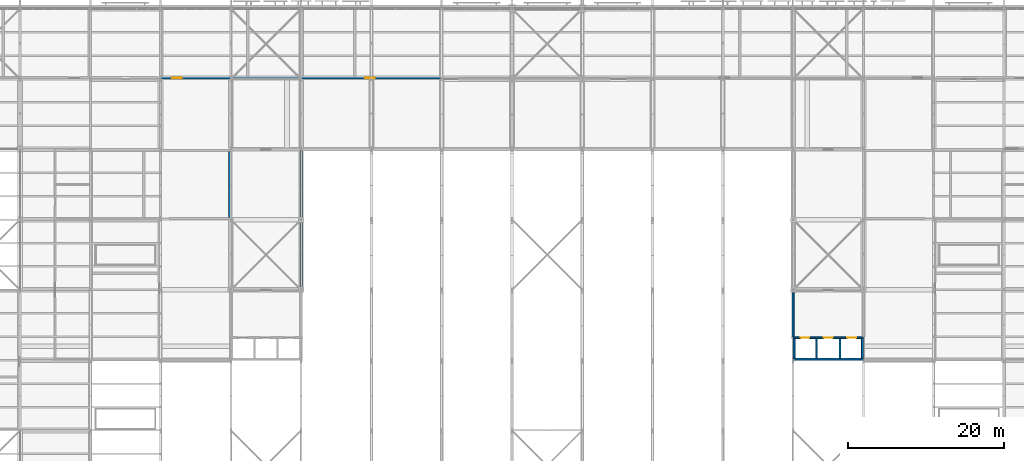
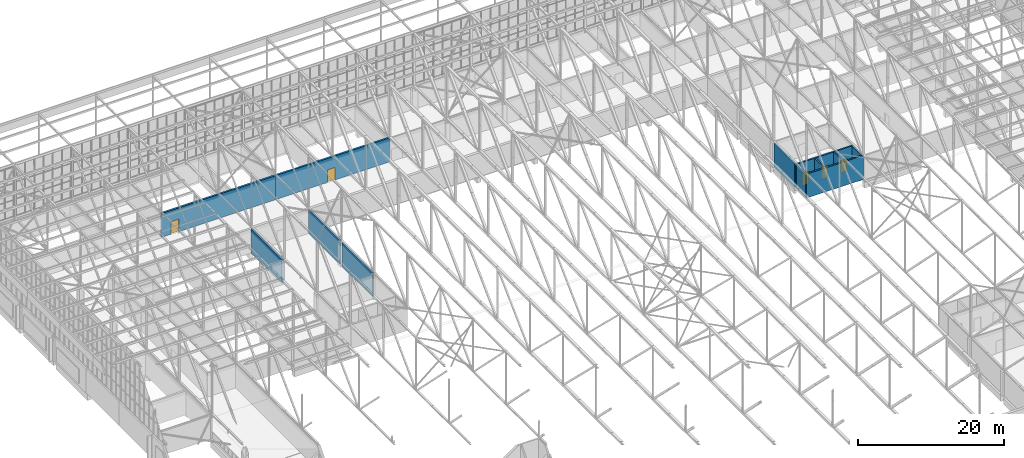
# One storey, part 170 of 646: 12 walls, 5 doors, 5 openings.
"""IFC4 building model written with IfcOpenShell, lengths in metres."""

from ifc_helpers import new_model, si_unit, direction, frame, frame_2d, origin, place, context, subcontext, project, spatial, rectangle, extrude, material, layer, layer_set, type_object, element, fill, save


model = new_model("IFC4")

# Units and contexts
model_context = context("Model", 3, precision=1e-05, world=origin(), true_north=direction((0.0, 1.0)))
body_context = subcontext(model_context, "Body", "Model", "MODEL_VIEW")
ifc_project = project(units=[si_unit("LENGTHUNIT", "METRE"), si_unit("AREAUNIT", "SQUARE_METRE"), si_unit("VOLUMEUNIT", "CUBIC_METRE"), si_unit("PLANEANGLEUNIT", "RADIAN"), si_unit("MASSUNIT", "GRAM", prefix="KILO")], contexts=[model_context])

# Site, building, storey
site_placement = place(None, origin())
site = spatial("IfcSite", under=ifc_project, at=site_placement, CompositionType="ELEMENT")
building_placement = place(site_placement, origin())
building = spatial("IfcBuilding", under=site, at=building_placement, Name="Silverbay Arena", CompositionType="ELEMENT")
storey_placement = place(building_placement, frame((0.0, 0.0, 33.5)))
storey = spatial("IfcBuildingStorey", under=building, at=storey_placement, Name="L05", CompositionType="ELEMENT", Elevation=33.5)

# Walls
ifc_material_1 = material(Name="Concrete Grade C45", Category="concrete")
ifc_layer_1 = layer(ifc_material_1, 0.25)
ifc_layer_set_1 = layer_set([ifc_layer_1], Name="Concrete Grade C45")
wall_type_1 = type_object("IfcWallType", Name="Bowl enclosure wall RC 250 EI 120", PredefinedType="SOLIDWALL", material=ifc_layer_set_1)
wall_1_placement = place(storey_placement, frame((99.0, 108.35009765625, 0.0), z_axis=(0.0, 0.0, 1.0), x_axis=(0.0, 1.0, 0.0)))
element("IfcWall", 1, at=wall_1_placement, inside=storey, type_object=wall_type_1, Name="Bowl enclosure wall, corner block NW-x", PredefinedType="SOLIDWALL", context=body_context, shape_type="SweptSolid", body=[
    extrude(rectangle(XDim=8.2998046875, YDim=0.25, at=frame_2d((4.14990234375, 0.0))), origin(), (0.0, 0.0, 1.0), 4.0),
])
wall_2_placement = place(storey_placement, frame((99.0, 117.35009765625, 0.0), z_axis=(0.0, 0.0, 1.0), x_axis=(0.0, 1.0, 0.0)))
element("IfcWall", 2, at=wall_2_placement, inside=storey, type_object=wall_type_1, Name="Bowl enclosure wall, corner block NW-x", PredefinedType="SOLIDWALL", context=body_context, shape_type="SweptSolid", body=[
    extrude(rectangle(XDim=8.449951171875, YDim=0.25, at=frame_2d((4.22509765625, 0.0))), origin(), (0.0, 0.0, 1.0), 4.0),
])
wall_3_placement = place(storey_placement, frame((162.0, 102.0, 0.0), z_axis=(0.0, 0.0, 1.0), x_axis=(0.0, 1.0, 0.0)))
element("IfcWall", 3, at=wall_3_placement, inside=storey, type_object=wall_type_1, Name="Bowl enclosure wall, corner block NE-x", PredefinedType="SOLIDWALL", context=body_context, shape_type="SweptSolid", body=[
    extrude(rectangle(XDim=5.64990234375, YDim=0.25, at=frame_2d((2.824951171875, 0.0))), origin(), (0.0, 0.0, 1.0), 4.0),
])

# Wall, opening, door
ifc_material_2 = material(Name="Concrete Grade C45", Category="concrete")
ifc_layer_2 = layer(ifc_material_2, 0.300048828125)
ifc_layer_set_2 = layer_set([ifc_layer_2], Name="Concrete Grade C45")
wall_type_2 = type_object("IfcWallType", Name="Core wall RC 300 EI 120", PredefinedType="SHEAR", material=ifc_layer_set_2)
wall_4_placement = place(storey_placement, frame((81.0, 135.14990234375, 0.0), z_axis=(0.0, 0.0, 1.0), x_axis=(1.0, 0.0, 0.0)))
wall_4 = element("IfcWall", 4, at=wall_4_placement, inside=storey, type_object=wall_type_2, Name="Core wall ST-N1 L05 door side", PredefinedType="SHEAR", context=body_context, shape_type="SweptSolid", body=[
    extrude(rectangle(XDim=18.0, YDim=0.300048828125, at=frame_2d((9.0, 0.0))), origin(), (0.0, 0.0, 1.0), 4.0),
])
opening_1_placement = place(wall_4_placement, frame((1.5, 0.0, 0.0)))
opening_1 = element("IfcOpeningElement", 5, at=opening_1_placement, cuts=wall_4, Name="Opening L05-031", PredefinedType="OPENING", context=body_context, shape_type="SweptSolid", body=[
    extrude(rectangle(XDim=1.199951171875, YDim=2.10009765625, at=frame_2d((0.60009765625, 1.050048828125))), frame((0.0, 0.16015625, 0.0), z_axis=(0.0, -1.0, 0.0), x_axis=(1.0, 0.0, 0.0)), (0.0, 0.0, 1.0), 0.320068359375),
])
ifc_material_3 = material(Name="Steel fire door", Category="steel")
door_type_1 = type_object("IfcDoorType", Name="Stair door 1200 x 2100 fire door", OperationType="SINGLE_SWING_LEFT", PredefinedType="DOOR", material=ifc_material_3)
door_1_placement = place(opening_1_placement, origin())
door_1 = element("IfcDoor", 6, at=door_1_placement, inside=storey, type_object=door_type_1, Name="Stair door ST-N1 L05", OperationType="SINGLE_SWING_LEFT", OverallHeight=2.10009765625, OverallWidth=1.199951171875, PredefinedType="DOOR", context=body_context, shape_type="SweptSolid", body=[
    extrude(rectangle(XDim=1.199951171875, YDim=2.10009765625, at=frame_2d((0.60009765625, 1.050048828125))), frame((0.0, 0.02490234375, 0.0), z_axis=(0.0, -1.0, 0.0), x_axis=(1.0, 0.0, 0.0)), (0.0, 0.0, 1.0), 0.050048828125),
])
fill(opening_1, door_1)

wall_5_placement = place(storey_placement, frame((117.0, 135.14990234375, 0.0), z_axis=(0.0, 0.0, 1.0), x_axis=(-1.0, 0.0, 0.0)))
wall_5 = element("IfcWall", 7, at=wall_5_placement, inside=storey, type_object=wall_type_2, Name="Core wall ST-N2 L05 door side", PredefinedType="SHEAR", context=body_context, shape_type="SweptSolid", body=[
    extrude(rectangle(XDim=18.0, YDim=0.300048828125, at=frame_2d((9.0, 0.0))), origin(), (0.0, 0.0, 1.0), 4.0),
])
opening_2_placement = place(wall_5_placement, frame((8.60009765625, 0.0, 0.0)))
opening_2 = element("IfcOpeningElement", 8, at=opening_2_placement, cuts=wall_5, Name="Opening L05-032", PredefinedType="OPENING", context=body_context, shape_type="SweptSolid", body=[
    extrude(rectangle(XDim=1.199951171875, YDim=2.10009765625, at=frame_2d((0.60009765625, 1.050048828125))), frame((0.0, 0.16015625, 0.0), z_axis=(0.0, -1.0, 0.0), x_axis=(1.0, 0.0, 0.0)), (0.0, 0.0, 1.0), 0.320068359375),
])
door_2_placement = place(opening_2_placement, frame((1.199951171875, 0.0, 0.0), z_axis=(0.0, 0.0, 1.0), x_axis=(-1.0, 0.0, 0.0)))
door_2 = element("IfcDoor", 9, at=door_2_placement, inside=storey, type_object=door_type_1, Name="Stair door ST-N2 L05", OperationType="SINGLE_SWING_LEFT", OverallHeight=2.10009765625, OverallWidth=1.199951171875, PredefinedType="DOOR", context=body_context, shape_type="SweptSolid", body=[
    extrude(rectangle(XDim=1.199951171875, YDim=2.10009765625, at=frame_2d((0.60009765625, 1.050048828125))), frame((0.0, 0.02490234375, 0.0), z_axis=(0.0, -1.0, 0.0), x_axis=(1.0, 0.0, 0.0)), (0.0, 0.0, 1.0), 0.050048828125),
])
fill(opening_2, door_2)

# Walls
wall_6_placement = place(storey_placement, frame((89.85009765625, 117.300048828125, 0.0), z_axis=(0.0, 0.0, 1.0), x_axis=(0.0, 1.0, 0.0)))
element("IfcWall", 10, at=wall_6_placement, inside=storey, type_object=wall_type_2, Name="Core wall ST-NW1 L05 end 1", PredefinedType="SHEAR", context=body_context, shape_type="SweptSolid", body=[
    extrude(rectangle(XDim=8.39990234375, YDim=0.300048828125, at=frame_2d((4.199951171875, 0.0))), origin(), (0.0, 0.0, 1.0), 4.0),
])
ifc_material_4 = material(Name="Concrete Grade C45", Category="concrete")
ifc_layer_3 = layer(ifc_material_4, 0.199951171875)
ifc_layer_set_3 = layer_set([ifc_layer_3], Name="Concrete Grade C45")
wall_type_3 = type_object("IfcWallType", Name="Lift shaft divider RC 200 EI 120", PredefinedType="SHEAR", material=ifc_layer_set_3)
for number, where, z_axis, x_axis, name in (
    (11, (165.0, 99.25, 0.0), (0.0, 0.0, 1.0), (0.0, 1.0, 0.0), "Lift shaft divider LB-NE L05 1"),
    (12, (168.0, 99.25, 0.0), (0.0, 0.0, 1.0), (0.0, 1.0, 0.0), "Lift shaft divider LB-NE L05 2"),
):
    element("IfcWall", number, at=place(storey_placement, frame(where, z_axis=z_axis, x_axis=x_axis)), inside=storey, type_object=wall_type_3, Name=name, PredefinedType="SHEAR", context=body_context, shape_type="SweptSolid", body=[
        extrude(rectangle(XDim=2.5, YDim=0.199951171875, at=frame_2d((1.25, 0.0))), origin(), (0.0, 0.0, 1.0), 4.0),
    ])

# Wall, openings, doors
ifc_material_5 = material(Name="Concrete Grade C45", Category="concrete")
ifc_layer_4 = layer(ifc_material_5, 0.25)
ifc_layer_set_4 = layer_set([ifc_layer_4], Name="Concrete Grade C45")
wall_type_4 = type_object("IfcWallType", Name="Lift shaft wall RC 250 EI 120", PredefinedType="SHEAR", material=ifc_layer_set_4)
wall_7_placement = place(storey_placement, frame((162.0, 101.875, 0.0), z_axis=(0.0, 0.0, 1.0), x_axis=(1.0, 0.0, 0.0)))
wall_7 = element("IfcWall", 13, at=wall_7_placement, inside=storey, type_object=wall_type_4, Name="Lift shaft wall LB-NE L05 landing side", PredefinedType="SHEAR", context=body_context, shape_type="SweptSolid", body=[
    extrude(rectangle(XDim=9.0, YDim=0.25, at=frame_2d((4.5, 0.0))), origin(), (0.0, 0.0, 1.0), 4.0),
])
opening_3_placement = place(wall_7_placement, frame((0.949951171875, 0.0, 0.0)))
opening_3 = element("IfcOpeningElement", 14, at=opening_3_placement, cuts=wall_7, Name="Opening L05-060", PredefinedType="OPENING", context=body_context, shape_type="SweptSolid", body=[
    extrude(rectangle(XDim=1.10009765625, YDim=2.10009765625, at=frame_2d((0.550048828125, 1.050048828125))), frame((0.0, 0.135009765625, 0.0), z_axis=(0.0, -1.0, 0.0), x_axis=(1.0, 0.0, 0.0)), (0.0, 0.0, 1.0), 0.27001953125),
])
opening_4_placement = place(wall_7_placement, frame((3.949951171875, 0.0, 0.0)))
opening_4 = element("IfcOpeningElement", 15, at=opening_4_placement, cuts=wall_7, Name="Opening L05-061", PredefinedType="OPENING", context=body_context, shape_type="SweptSolid", body=[
    extrude(rectangle(XDim=1.10009765625, YDim=2.10009765625, at=frame_2d((0.550048828125, 1.050048828125))), frame((0.0, 0.135009765625, 0.0), z_axis=(0.0, -1.0, 0.0), x_axis=(1.0, 0.0, 0.0)), (0.0, 0.0, 1.0), 0.27001953125),
])
opening_5_placement = place(wall_7_placement, frame((6.949951171875, 0.0, 0.0)))
opening_5 = element("IfcOpeningElement", 16, at=opening_5_placement, cuts=wall_7, Name="Opening L05-062", PredefinedType="OPENING", context=body_context, shape_type="SweptSolid", body=[
    extrude(rectangle(XDim=1.10009765625, YDim=2.10009765625, at=frame_2d((0.550048828125, 1.050048828125))), frame((0.0, 0.135009765625, 0.0), z_axis=(0.0, -1.0, 0.0), x_axis=(1.0, 0.0, 0.0)), (0.0, 0.0, 1.0), 0.27001953125),
])
ifc_material_6 = material(Name="Stainless steel", Category="steel")
door_type_2 = type_object("IfcDoorType", Name="LD1 lift landing door 1100 x 2100", OperationType="DOUBLE_DOOR_SLIDING", PredefinedType="DOOR", material=ifc_material_6)
door_3_placement = place(opening_3_placement, origin())
door_3 = element("IfcDoor", 17, at=door_3_placement, inside=storey, type_object=door_type_2, Name="Lift landing door LF12 L05", OperationType="DOUBLE_DOOR_SLIDING", OverallHeight=2.10009765625, OverallWidth=1.10009765625, PredefinedType="DOOR", context=body_context, shape_type="SweptSolid", body=[
    extrude(rectangle(XDim=1.10009765625, YDim=2.10009765625, at=frame_2d((0.550048828125, 1.050048828125))), frame((0.0, 0.02490234375, 0.0), z_axis=(0.0, -1.0, 0.0), x_axis=(1.0, 0.0, 0.0)), (0.0, 0.0, 1.0), 0.050048828125),
])
fill(opening_3, door_3)
door_4_placement = place(opening_4_placement, origin())
door_4 = element("IfcDoor", 18, at=door_4_placement, inside=storey, type_object=door_type_2, Name="Lift landing door LF13 L05", OperationType="DOUBLE_DOOR_SLIDING", OverallHeight=2.10009765625, OverallWidth=1.10009765625, PredefinedType="DOOR", context=body_context, shape_type="SweptSolid", body=[
    extrude(rectangle(XDim=1.10009765625, YDim=2.10009765625, at=frame_2d((0.550048828125, 1.050048828125))), frame((0.0, 0.02490234375, 0.0), z_axis=(0.0, -1.0, 0.0), x_axis=(1.0, 0.0, 0.0)), (0.0, 0.0, 1.0), 0.050048828125),
])
fill(opening_4, door_4)
door_5_placement = place(opening_5_placement, origin())
door_5 = element("IfcDoor", 19, at=door_5_placement, inside=storey, type_object=door_type_2, Name="Lift landing door LF14 L05", OperationType="DOUBLE_DOOR_SLIDING", OverallHeight=2.10009765625, OverallWidth=1.10009765625, PredefinedType="DOOR", context=body_context, shape_type="SweptSolid", body=[
    extrude(rectangle(XDim=1.10009765625, YDim=2.10009765625, at=frame_2d((0.550048828125, 1.050048828125))), frame((0.0, 0.02490234375, 0.0), z_axis=(0.0, -1.0, 0.0), x_axis=(1.0, 0.0, 0.0)), (0.0, 0.0, 1.0), 0.050048828125),
])
fill(opening_5, door_5)

# Walls
wall_8_placement = place(storey_placement, frame((162.0, 99.125, 0.0), z_axis=(0.0, 0.0, 1.0), x_axis=(1.0, 0.0, 0.0)))
element("IfcWall", 20, at=wall_8_placement, inside=storey, type_object=wall_type_4, Name="Lift shaft wall LB-NE L05 back", PredefinedType="SHEAR", context=body_context, shape_type="SweptSolid", body=[
    extrude(rectangle(XDim=9.0, YDim=0.25, at=frame_2d((4.5, 0.0))), origin(), (0.0, 0.0, 1.0), 4.0),
])
for number, where, z_axis, x_axis, name in (
    (21, (162.125, 99.25, 0.0), (0.0, 0.0, 1.0), (0.0, 1.0, 0.0), "Lift shaft wall LB-NE L05 end"),
    (22, (170.875, 99.25, 0.0), (0.0, 0.0, 1.0), (0.0, 1.0, 0.0), "Lift shaft wall LB-NE L05 end"),
):
    element("IfcWall", number, at=place(storey_placement, frame(where, z_axis=z_axis, x_axis=x_axis)), inside=storey, type_object=wall_type_4, Name=name, PredefinedType="SHEAR", context=body_context, shape_type="SweptSolid", body=[
        extrude(rectangle(XDim=2.5, YDim=0.25, at=frame_2d((1.25, 0.0))), origin(), (0.0, 0.0, 1.0), 4.0),
    ])

save(model, "model.ifc")
